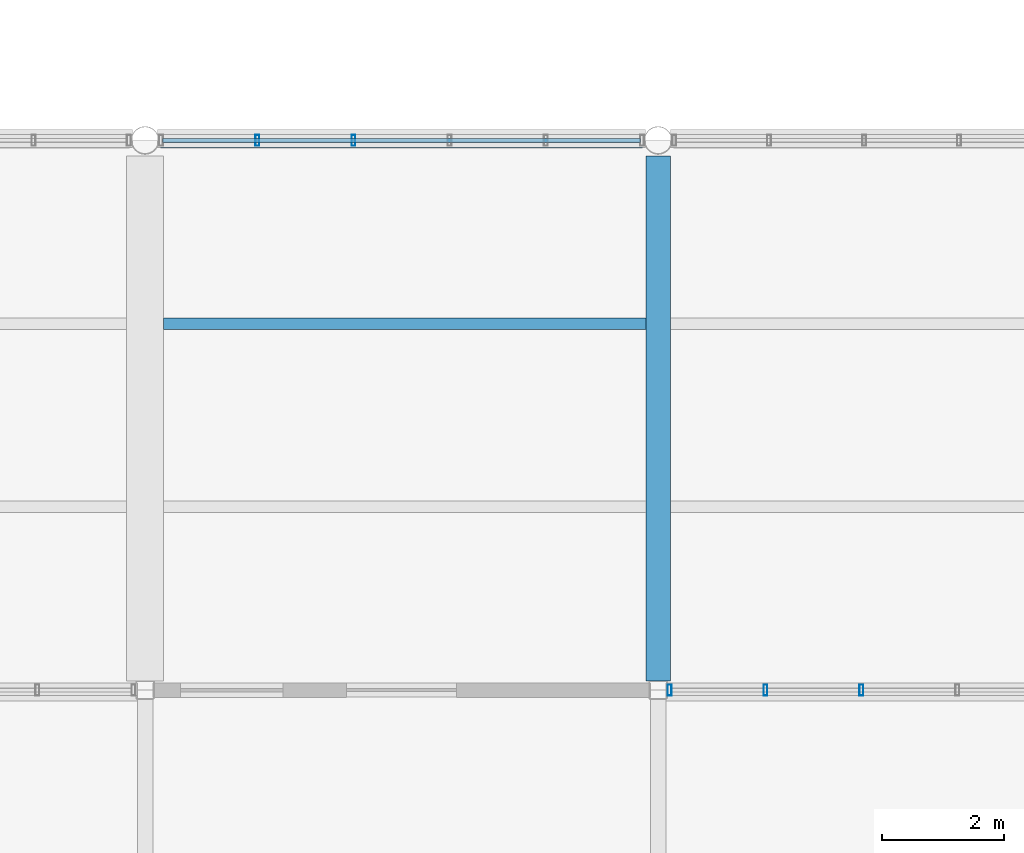
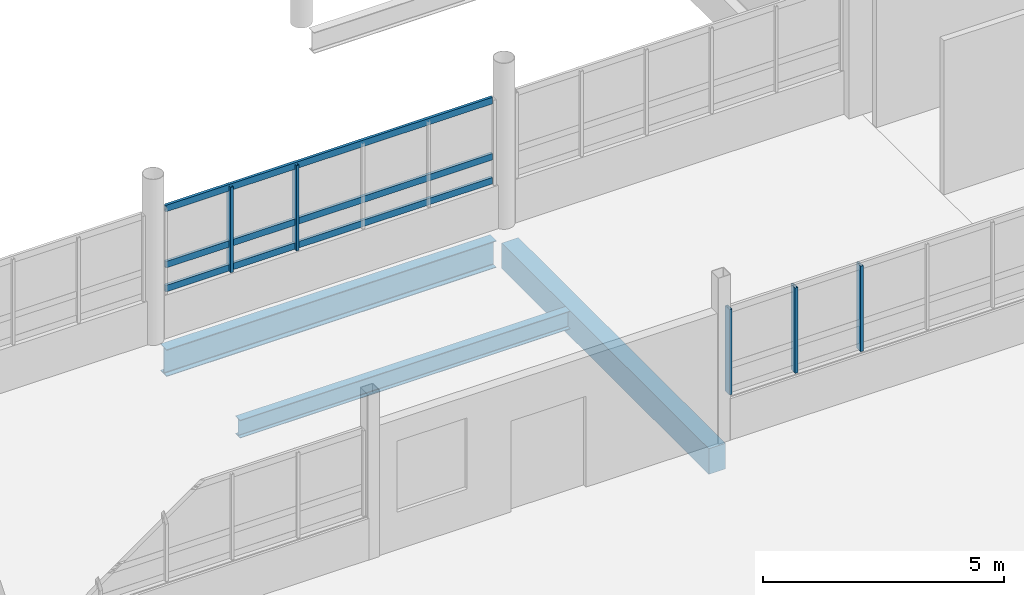
# One storey, part 18 of 101: 8 members, 3 beams, 2 elements without a shape of their own.
"""IFC4 building model written with IfcOpenShell, lengths in metres."""

from ifc_helpers import new_model, si_unit, direction, frame, origin, origin_2d, place, context, subcontext, project, spatial, rectangle, hollow_rectangle, i_section, extrude, material, layer, layer_set, material_profile, profile_set, type_object, element, aggregate, save


model = new_model("IFC4")

# Units and contexts
model_context = context("Model", 3, precision=1e-05, world=origin(), true_north=direction((0.0, 1.0)))
body_context = subcontext(model_context, "Body", "Model", "MODEL_VIEW")
ifc_project = project(units=[si_unit("LENGTHUNIT", "METRE"), si_unit("AREAUNIT", "SQUARE_METRE"), si_unit("VOLUMEUNIT", "CUBIC_METRE"), si_unit("PLANEANGLEUNIT", "RADIAN"), si_unit("MASSUNIT", "GRAM", prefix="KILO")], contexts=[model_context])

# Site, building, storey
site_placement = place(None, origin())
site = spatial("IfcSite", under=ifc_project, at=site_placement, CompositionType="ELEMENT")
building_placement = place(site_placement, origin())
building = spatial("IfcBuilding", under=site, at=building_placement, Name="Vireocrest Preparatory School", CompositionType="ELEMENT")
storey_placement = place(building_placement, frame((0.0, 0.0, 4.800048828125)))
storey = spatial("IfcBuildingStorey", under=building, at=storey_placement, Name="L01", CompositionType="ELEMENT", Elevation=4.800048828125)

# Beams
ifc_material_1 = material(Name="Structural steel ASTM A992 Grade 50", Category="steel")
ifc_material_profile_1 = material_profile(ifc_material_1, i_section(OverallWidth=0.18994140625, OverallDepth=0.45703125, WebThickness=0.009033203125, FlangeThickness=0.014404296875, FilletRadius=0.013916015625, at=origin_2d()), Name="W18X50")
ifc_profile_set_1 = profile_set([ifc_material_profile_1], Name="Structural steel ASTM A992 Grade 50")
beam_type_1 = type_object("IfcBeamType", Name="Bridge Floor Joist W18X50", PredefinedType="JOIST", material=ifc_profile_set_1)
beam_1_placement = place(storey_placement, frame((75.89990234375, 24.0, -0.508544921875), z_axis=(1.0, 0.0, 0.0), x_axis=(0.0, 1.0, 0.0)))
element("IfcBeam", 1, at=beam_1_placement, inside=storey, type_object=beam_type_1, Name="Secondary Joist SJ2 L01-0575", PredefinedType="JOIST", context=body_context, shape_type="SweptSolid", body=[
    extrude(i_section(OverallWidth=0.18994140625, OverallDepth=0.45703125, WebThickness=0.009033203125, FlangeThickness=0.014404296875, FilletRadius=0.013916015625, at=origin_2d()), origin(), (0.0, 0.0, 1.0), 7.900146484375),
])
ifc_material_profile_2 = material_profile(ifc_material_1, i_section(OverallWidth=0.25390625, OverallDepth=0.68408203125, WebThickness=0.012451171875, FlangeThickness=0.018798828125, FilletRadius=0.01806640625, at=origin_2d()), Name="W27X94")
ifc_profile_set_2 = profile_set([ifc_material_profile_2], Name="Structural steel ASTM A992 Grade 50")
beam_type_2 = type_object("IfcBeamType", Name="Bridge Primary Steel Girder W27X94", PredefinedType="BEAM", material=ifc_profile_set_2)
beam_2_placement = place(storey_placement, frame((75.85400390625, 27.0, -0.6220703125), z_axis=(1.0, 0.0, 0.0), x_axis=(0.0, 1.0, 0.0)))
element("IfcBeam", 2, at=beam_2_placement, inside=storey, type_object=beam_type_2, Name="Primary Girder SB1 L01-0279", PredefinedType="BEAM", context=body_context, shape_type="SweptSolid", body=[
    extrude(i_section(OverallWidth=0.25390625, OverallDepth=0.68408203125, WebThickness=0.012451171875, FlangeThickness=0.018798828125, FilletRadius=0.01806640625, at=origin_2d()), origin(), (0.0, 0.0, 1.0), 7.89208984375),
])

# Curtain wall, members
ifc_material_2 = material(Name="Thermally broken aluminium EN AW-6063-T6", Category="aluminium")
ifc_layer_1 = layer(ifc_material_2, 0.179931640625)
ifc_layer_set_1 = layer_set([ifc_layer_1], Name="Thermally broken aluminium EN AW-6063-T6")
curtain_wall_type_1 = type_object("IfcCurtainWallType", Name="Court Banded Curtain Wall 8400x3600", PredefinedType="USERDEFINED", material=ifc_layer_set_1)
curtain_wall_1_placement = place(storey_placement, origin())
curtain_wall_1 = element("IfcCurtainWall", 3, at=curtain_wall_1_placement, inside=storey, type_object=curtain_wall_type_1, Name="Curtain Wall CW01 CW_L01_CW01_0841_0180_059", ObjectType="CURTAIN WALL", PredefinedType="USERDEFINED")
ifc_material_profile_3 = material_profile(ifc_material_2, hollow_rectangle(XDim=0.06494140625, YDim=0.179931640625, WallThickness=0.00390625, at=origin_2d()), Name="ALU 65x180x4")
ifc_profile_set_3 = profile_set([ifc_material_profile_3], Name="Thermally broken aluminium EN AW-6063-T6")
member_type_1 = type_object("IfcMemberType", Name="CW Mullion 65x180x4", PredefinedType="MULLION", material=ifc_profile_set_3)
member_1_placement = place(storey_placement, frame((84.1875, 18.0, 1.099853515625), z_axis=(0.0, 0.0, 1.0), x_axis=(1.0, 0.0, 0.0)))
member_1 = element("IfcMember", 4, at=member_1_placement, type_object=member_type_1, Name="CW Mullion ML2 CW_L01_CW01_0841_0180_059-1", PredefinedType="MULLION", context=body_context, shape_type="SweptSolid", body=[
    extrude(hollow_rectangle(XDim=0.06494140625, YDim=0.179931640625, WallThickness=0.00390625, at=origin_2d()), origin(), (0.0, 0.0, 1.0), 2.1611328125),
])
member_2_placement = place(storey_placement, frame((85.7578125, 18.0, 1.099853515625), z_axis=(0.0, 0.0, 1.0), x_axis=(1.0, 0.0, 0.0)))
member_2 = element("IfcMember", 5, at=member_2_placement, type_object=member_type_1, Name="CW Mullion ML2 CW_L01_CW01_0841_0180_059-2", PredefinedType="MULLION", context=body_context, shape_type="SweptSolid", body=[
    extrude(hollow_rectangle(XDim=0.06494140625, YDim=0.179931640625, WallThickness=0.00390625, at=origin_2d()), origin(), (0.0, 0.0, 1.0), 2.1611328125),
])
member_3_placement = place(storey_placement, frame((87.328369140625, 18.0, 1.099853515625), z_axis=(0.0, 0.0, 1.0), x_axis=(1.0, 0.0, 0.0)))
member_3 = element("IfcMember", 6, at=member_3_placement, type_object=member_type_1, Name="CW Mullion ML2 CW_L01_CW01_0841_0180_059-3", PredefinedType="MULLION", context=body_context, shape_type="SweptSolid", body=[
    extrude(hollow_rectangle(XDim=0.06494140625, YDim=0.179931640625, WallThickness=0.00390625, at=origin_2d()), origin(), (0.0, 0.0, 1.0), 2.1611328125),
])
aggregate(curtain_wall_1, [member_1, member_2, member_3])

ifc_layer_2 = layer(ifc_material_2, 0.179931640625)
ifc_layer_set_2 = layer_set([ifc_layer_2], Name="Thermally broken aluminium EN AW-6063-T6")
curtain_wall_type_2 = type_object("IfcCurtainWallType", Name="Bridge Link Glazing Wall 9000x3600", PredefinedType="USERDEFINED", material=ifc_layer_set_2)
curtain_wall_2_placement = place(storey_placement, origin())
curtain_wall_2 = element("IfcCurtainWall", 7, at=curtain_wall_2_placement, inside=storey, type_object=curtain_wall_type_2, Name="Curtain Wall CW12 CW_L01_CW12_0758_0270_059", ObjectType="CURTAIN WALL", PredefinedType="USERDEFINED")
member_4_placement = place(storey_placement, frame((77.438232421875, 27.0, 1.099853515625), z_axis=(0.0, 0.0, 1.0), x_axis=(1.0, 0.0, 0.0)))
member_4 = element("IfcMember", 8, at=member_4_placement, type_object=member_type_1, Name="CW Mullion ML2 CW_L01_CW12_0758_0270_059-2", PredefinedType="MULLION", context=body_context, shape_type="SweptSolid", body=[
    extrude(hollow_rectangle(XDim=0.06494140625, YDim=0.179931640625, WallThickness=0.00390625, at=origin_2d()), origin(), (0.0, 0.0, 1.0), 2.1611328125),
])
member_5_placement = place(storey_placement, frame((79.0126953125, 27.0, 1.099853515625), z_axis=(0.0, 0.0, 1.0), x_axis=(1.0, 0.0, 0.0)))
member_5 = element("IfcMember", 9, at=member_5_placement, type_object=member_type_1, Name="CW Mullion ML2 CW_L01_CW12_0758_0270_059-3", PredefinedType="MULLION", context=body_context, shape_type="SweptSolid", body=[
    extrude(hollow_rectangle(XDim=0.06494140625, YDim=0.179931640625, WallThickness=0.00390625, at=origin_2d()), origin(), (0.0, 0.0, 1.0), 2.1611328125),
])
ifc_material_profile_4 = material_profile(ifc_material_2, hollow_rectangle(XDim=0.06494140625, YDim=0.1650390625, WallThickness=0.00390625, at=origin_2d()), Name="ALU 65x165x4")
ifc_profile_set_4 = profile_set([ifc_material_profile_4], Name="Thermally broken aluminium EN AW-6063-T6")
member_type_2 = type_object("IfcMemberType", Name="CW Transom 65x165x4", PredefinedType="USERDEFINED", material=ifc_profile_set_4)
member_6_placement = place(storey_placement, frame((75.888671875, 27.0, 1.195068359375), z_axis=(1.0, 0.0, 0.0), x_axis=(0.0, 1.0, 0.0)))
member_6 = element("IfcMember", 10, at=member_6_placement, type_object=member_type_2, Name="CW Transom TR2 CW_L01_CW12_0758_0270_059-1", ObjectType="TRANSOM", PredefinedType="USERDEFINED", context=body_context, shape_type="SweptSolid", body=[
    extrude(hollow_rectangle(XDim=0.06494140625, YDim=0.1650390625, WallThickness=0.00390625, at=origin_2d()), origin(), (0.0, 0.0, 1.0), 7.82275390625),
])
member_7_placement = place(storey_placement, frame((75.888671875, 27.0, 1.800048828125), z_axis=(1.0, 0.0, 0.0), x_axis=(0.0, 1.0, 0.0)))
member_7 = element("IfcMember", 11, at=member_7_placement, type_object=member_type_2, Name="CW Transom TR2 CW_L01_CW12_0758_0270_059-2", ObjectType="TRANSOM", PredefinedType="USERDEFINED", context=body_context, shape_type="SweptSolid", body=[
    extrude(hollow_rectangle(XDim=0.06494140625, YDim=0.1650390625, WallThickness=0.00390625, at=origin_2d()), origin(), (0.0, 0.0, 1.0), 7.82275390625),
])
member_8_placement = place(storey_placement, frame((75.888671875, 27.0, 3.220947265625), z_axis=(1.0, 0.0, 0.0), x_axis=(0.0, 1.0, 0.0)))
member_8 = element("IfcMember", 12, at=member_8_placement, type_object=member_type_2, Name="CW Transom TR2 CW_L01_CW12_0758_0270_059-3", ObjectType="TRANSOM", PredefinedType="USERDEFINED", context=body_context, shape_type="SweptSolid", body=[
    extrude(hollow_rectangle(XDim=0.06494140625, YDim=0.1650390625, WallThickness=0.00390625, at=origin_2d()), origin(), (0.0, 0.0, 1.0), 7.82275390625),
])
aggregate(curtain_wall_2, [member_4, member_5, member_6, member_7, member_8])

# Beam
ifc_material_3 = material(Name="Concrete 40 MPa", Category="concrete")
ifc_material_profile_5 = material_profile(ifc_material_3, rectangle(XDim=0.39990234375, YDim=0.64990234375, at=origin_2d()), Name="RC 400x650")
ifc_profile_set_5 = profile_set([ifc_material_profile_5], Name="Concrete 40 MPa")
beam_type_3 = type_object("IfcBeamType", Name="RC Laboratory Girder 400x650", PredefinedType="BEAM", material=ifc_profile_set_5)
beam_3_placement = place(storey_placement, frame((84.0, 18.15234375, -0.60498046875), z_axis=(0.0, 1.0, 0.0), x_axis=(-1.0, 0.0, 0.0)))
element("IfcBeam", 13, at=beam_3_placement, inside=storey, type_object=beam_type_3, Name="Primary Girder B07 L01-0432", PredefinedType="BEAM", context=body_context, shape_type="SweptSolid", body=[
    extrude(rectangle(XDim=0.39990234375, YDim=0.64990234375, at=origin_2d()), origin(), (0.0, 0.0, 1.0), 8.59375),
])

save(model, "model.ifc")
